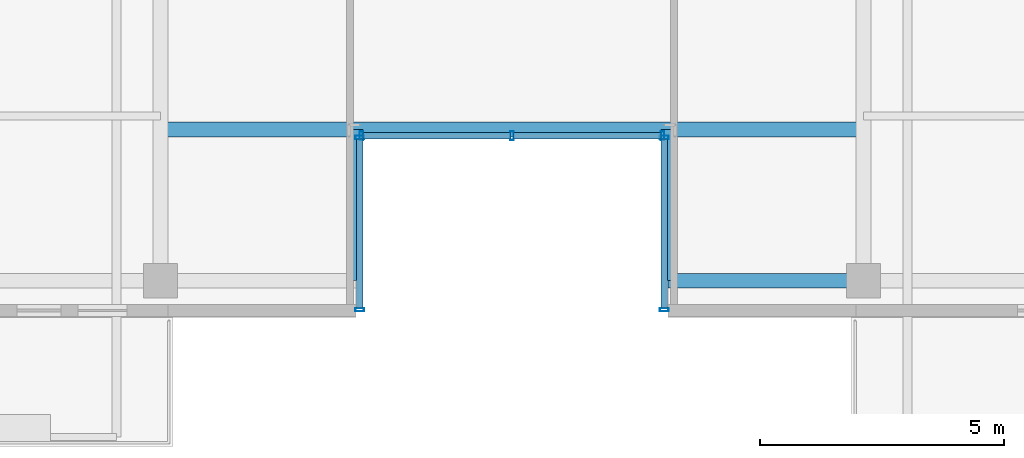
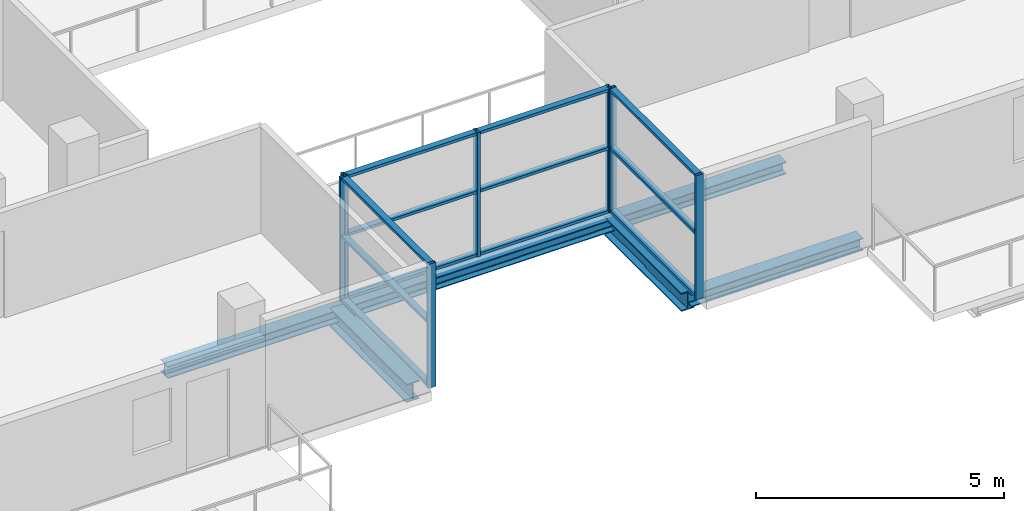
# One storey, part 3 of 21: 19 members, 4 beams, 3 elements without a shape of their own.
"""IFC4 building model written with IfcOpenShell, lengths in metres."""

from ifc_helpers import new_model, si_unit, direction, frame, origin, origin_2d, place, context, subcontext, project, spatial, hollow_rectangle, i_section, extrude, source, transform, mapped, material, layer, layer_set, material_profile, profile_set, type_object, element, aggregate, save


model = new_model("IFC4")

# Units and contexts
model_context = context("Model", 3, precision=1e-05, world=origin(), true_north=direction((0.0, 1.0)))
body_context = subcontext(model_context, "Body", "Model", "MODEL_VIEW")
ifc_project = project(units=[si_unit("LENGTHUNIT", "METRE"), si_unit("AREAUNIT", "SQUARE_METRE"), si_unit("VOLUMEUNIT", "CUBIC_METRE"), si_unit("PLANEANGLEUNIT", "RADIAN"), si_unit("MASSUNIT", "GRAM", prefix="KILO")], contexts=[model_context])

# Site, building, storey
site_placement = place(None, origin())
site = spatial("IfcSite", under=ifc_project, at=site_placement, CompositionType="ELEMENT")
building_placement = place(site_placement, origin())
building = spatial("IfcBuilding", under=site, at=building_placement, Name="Zarnakvel Exchange Tower", CompositionType="ELEMENT")
storey_placement = place(building_placement, frame((0.0, 0.0, 248.5)))
storey = spatial("IfcBuildingStorey", under=building, at=storey_placement, Name="L70", CompositionType="ELEMENT", Elevation=248.5)

# Beams
ifc_material_1 = material(Name="Steel S355", Category="steel")
ifc_material_profile_1 = material_profile(ifc_material_1, i_section(OverallWidth=0.300048828125, OverallDepth=0.449951171875, WebThickness=0.013916015625, FlangeThickness=0.02587890625, FilletRadius=0.027099609375, at=origin_2d()))
ifc_profile_set_1 = profile_set([ifc_material_profile_1], Name="Steel S355")
beam_type_1 = type_object("IfcBeamType", Name="G-07", PredefinedType="BEAM", material=ifc_profile_set_1)
for number, where, z_axis, x_axis, name in (
    (1, (-3.199951171875, -16.35009765625, -0.449951171875), (0.0, 1.0, 0.0), (-1.0, 0.0, 0.0), "L70 South Slot West Cheek Beam"),
    (2, (3.199951171875, -16.35009765625, -0.449951171875), (0.0, 1.0, 0.0), (-1.0, 0.0, 0.0), "L70 South Slot East Cheek Beam"),
):
    element("IfcBeam", number, at=place(storey_placement, frame(where, z_axis=z_axis, x_axis=x_axis)), inside=storey, type_object=beam_type_1, Name=name, PredefinedType="BEAM", context=body_context, shape_type="SweptSolid", body=[
        extrude(i_section(OverallWidth=0.300048828125, OverallDepth=0.449951171875, WebThickness=0.013916015625, FlangeThickness=0.02587890625, FilletRadius=0.027099609375, at=origin_2d()), origin(), (0.0, 0.0, 1.0), 3.10009765625),
    ])
ifc_material_profile_2 = material_profile(ifc_material_1, i_section(OverallWidth=0.300048828125, OverallDepth=0.300048828125, WebThickness=0.010986328125, FlangeThickness=0.01904296875, FilletRadius=0.027099609375, at=origin_2d()))
ifc_profile_set_2 = profile_set([ifc_material_profile_2], Name="Steel S355")
beam_type_2 = type_object("IfcBeamType", Name="SP-03", PredefinedType="SPANDREL", material=ifc_profile_set_2)
beam_1_placement = place(storey_placement, frame((3.199951171875, -16.35009765625, -0.375), z_axis=(1.0, 0.0, 0.0), x_axis=(0.0, 1.0, 0.0)))
element("IfcBeam", 3, at=beam_1_placement, inside=storey, type_object=beam_type_2, Name="L70 South Slot East Jamb Spandrel", PredefinedType="SPANDREL", context=body_context, shape_type="SweptSolid", body=[
    extrude(i_section(OverallWidth=0.300048828125, OverallDepth=0.300048828125, WebThickness=0.010986328125, FlangeThickness=0.01904296875, FilletRadius=0.027099609375, at=origin_2d()), origin(), (0.0, 0.0, 1.0), 4.0),
])
beam_2_placement = place(storey_placement, frame((-7.199951171875, -13.25, -0.375), z_axis=(1.0, 0.0, 0.0), x_axis=(0.0, 1.0, 0.0)))
element("IfcBeam", 4, at=beam_2_placement, inside=storey, type_object=beam_type_2, Name="L70 South Slot Head Trimmer Girder", PredefinedType="SPANDREL", context=body_context, shape_type="SweptSolid", body=[
    extrude(i_section(OverallWidth=0.300048828125, OverallDepth=0.300048828125, WebThickness=0.010986328125, FlangeThickness=0.01904296875, FilletRadius=0.027099609375, at=origin_2d()), origin(), (0.0, 0.0, 1.0), 14.39990234375),
])

# Curtain wall, members
ifc_material_2 = material(Name="Architectural Bronze Anodised Aluminium", Category="aluminium")
ifc_layer = layer(ifc_material_2, 0.179931640625)
ifc_layer_set = layer_set([ifc_layer], Name="Architectural Bronze Anodised Aluminium")
curtain_wall_type = type_object("IfcCurtainWallType", Name="CW-05", PredefinedType="NOTDEFINED", material=ifc_layer_set)
curtain_wall_1_placement = place(storey_placement, origin())
curtain_wall_1 = element("IfcCurtainWall", 5, at=curtain_wall_1_placement, inside=storey, type_object=curtain_wall_type, Name="L70 Curtain Wall CW-L70-SLW (CW-05)", PredefinedType="NOTDEFINED")
ifc_material_profile_3 = material_profile(ifc_material_2, hollow_rectangle(XDim=0.139892578125, YDim=0.070068359375, WallThickness=0.00390625, at=origin_2d()))
ifc_profile_set_3 = profile_set([ifc_material_profile_3], Name="Architectural Bronze Anodised Aluminium")
member_type_1 = type_object("IfcMemberType", Name="CWT-05", PredefinedType="USERDEFINED", material=ifc_profile_set_3)
shared_shape_1 = source(origin(), body_context, "Body", "SweptSolid", [
    extrude(hollow_rectangle(XDim=0.139892578125, YDim=0.070068359375, WallThickness=0.00390625, at=origin_2d()), origin(), (0.0, 0.0, 1.0), 3.4599609375),
])
member_1_placement = place(storey_placement, frame((-3.1201171875, -16.909912109375, 0.034912109375), z_axis=(0.0, 1.0, 0.0), x_axis=(-1.0, 0.0, 0.0)))
member_1 = element("IfcMember", 6, at=member_1_placement, type_object=member_type_1, Name="CW-05 transom 1.1", ObjectType="TRANSOM", PredefinedType="USERDEFINED", context=body_context, shape_type="MappedRepresentation", body=[
    mapped(shared_shape_1, transform((0.0, 0.0, 0.0), x_axis=(1.0, 0.0, 0.0), y_axis=(0.0, 1.0, 0.0), z_axis=(0.0, 0.0, 1.0), scale=1.0)),
])
member_2_placement = place(storey_placement, frame((-3.1201171875, -16.909912109375, 1.588623046875), z_axis=(0.0, 1.0, 0.0), x_axis=(-1.0, 0.0, 0.0)))
member_2 = element("IfcMember", 7, at=member_2_placement, type_object=member_type_1, Name="CW-05 transom 1.2", ObjectType="TRANSOM", PredefinedType="USERDEFINED", context=body_context, shape_type="MappedRepresentation", body=[
    mapped(shared_shape_1, transform((0.0, 0.0, 0.0), x_axis=(1.0, 0.0, 0.0), y_axis=(0.0, 1.0, 0.0), z_axis=(0.0, 0.0, 1.0), scale=1.0)),
])
member_3_placement = place(storey_placement, frame((-3.1201171875, -16.909912109375, 3.02001953125), z_axis=(0.0, 1.0, 0.0), x_axis=(-1.0, 0.0, 0.0)))
member_3 = element("IfcMember", 8, at=member_3_placement, type_object=member_type_1, Name="CW-05 transom 1.3", ObjectType="TRANSOM", PredefinedType="USERDEFINED", context=body_context, shape_type="MappedRepresentation", body=[
    mapped(shared_shape_1, transform((0.0, 0.0, 0.0), x_axis=(1.0, 0.0, 0.0), y_axis=(0.0, 1.0, 0.0), z_axis=(0.0, 0.0, 1.0), scale=1.0)),
])

curtain_wall_2_placement = place(storey_placement, origin())
curtain_wall_2 = element("IfcCurtainWall", 9, at=curtain_wall_2_placement, inside=storey, type_object=curtain_wall_type, Name="L70 Curtain Wall CW-L70-SLE (CW-05)", PredefinedType="NOTDEFINED")
member_4_placement = place(storey_placement, frame((3.1201171875, -13.449951171875, 0.034912109375), z_axis=(0.0, -1.0, 0.0), x_axis=(1.0, 0.0, 0.0)))
member_4 = element("IfcMember", 10, at=member_4_placement, type_object=member_type_1, Name="CW-05 transom 1.1", ObjectType="TRANSOM", PredefinedType="USERDEFINED", context=body_context, shape_type="MappedRepresentation", body=[
    mapped(shared_shape_1, transform((0.0, 0.0, 0.0), x_axis=(1.0, 0.0, 0.0), y_axis=(0.0, 1.0, 0.0), z_axis=(0.0, 0.0, 1.0), scale=1.0)),
])
member_5_placement = place(storey_placement, frame((3.1201171875, -13.449951171875, 1.588623046875), z_axis=(0.0, -1.0, 0.0), x_axis=(1.0, 0.0, 0.0)))
member_5 = element("IfcMember", 11, at=member_5_placement, type_object=member_type_1, Name="CW-05 transom 1.2", ObjectType="TRANSOM", PredefinedType="USERDEFINED", context=body_context, shape_type="MappedRepresentation", body=[
    mapped(shared_shape_1, transform((0.0, 0.0, 0.0), x_axis=(1.0, 0.0, 0.0), y_axis=(0.0, 1.0, 0.0), z_axis=(0.0, 0.0, 1.0), scale=1.0)),
])
member_6_placement = place(storey_placement, frame((3.1201171875, -13.449951171875, 3.02001953125), z_axis=(0.0, -1.0, 0.0), x_axis=(1.0, 0.0, 0.0)))
member_6 = element("IfcMember", 12, at=member_6_placement, type_object=member_type_1, Name="CW-05 transom 1.3", ObjectType="TRANSOM", PredefinedType="USERDEFINED", context=body_context, shape_type="MappedRepresentation", body=[
    mapped(shared_shape_1, transform((0.0, 0.0, 0.0), x_axis=(1.0, 0.0, 0.0), y_axis=(0.0, 1.0, 0.0), z_axis=(0.0, 0.0, 1.0), scale=1.0)),
])

curtain_wall_3_placement = place(storey_placement, origin())
curtain_wall_3 = element("IfcCurtainWall", 13, at=curtain_wall_3_placement, inside=storey, type_object=curtain_wall_type, Name="L70 Curtain Wall CW-L70-SLB (CW-05)", PredefinedType="NOTDEFINED")
shared_shape_2 = source(origin(), body_context, "Body", "SweptSolid", [
    extrude(hollow_rectangle(XDim=0.139892578125, YDim=0.070068359375, WallThickness=0.00390625, at=origin_2d()), origin(), (0.0, 0.0, 1.0), 3.01513671875),
])
member_7_placement = place(storey_placement, frame((-3.050048828125, -13.3798828125, 0.034912109375), z_axis=(1.0, 0.0, 0.0), x_axis=(0.0, 1.0, 0.0)))
member_7 = element("IfcMember", 14, at=member_7_placement, type_object=member_type_1, Name="CW-05 transom 1.1", ObjectType="TRANSOM", PredefinedType="USERDEFINED", context=body_context, shape_type="MappedRepresentation", body=[
    mapped(shared_shape_2, transform((0.0, 0.0, 0.0), x_axis=(1.0, 0.0, 0.0), y_axis=(0.0, 1.0, 0.0), z_axis=(0.0, 0.0, 1.0), scale=1.0)),
])
member_8_placement = place(storey_placement, frame((-3.050048828125, -13.3798828125, 1.588623046875), z_axis=(1.0, 0.0, 0.0), x_axis=(0.0, 1.0, 0.0)))
member_8 = element("IfcMember", 15, at=member_8_placement, type_object=member_type_1, Name="CW-05 transom 1.2", ObjectType="TRANSOM", PredefinedType="USERDEFINED", context=body_context, shape_type="MappedRepresentation", body=[
    mapped(shared_shape_2, transform((0.0, 0.0, 0.0), x_axis=(1.0, 0.0, 0.0), y_axis=(0.0, 1.0, 0.0), z_axis=(0.0, 0.0, 1.0), scale=1.0)),
])
member_9_placement = place(storey_placement, frame((-3.050048828125, -13.3798828125, 3.02001953125), z_axis=(1.0, 0.0, 0.0), x_axis=(0.0, 1.0, 0.0)))
member_9 = element("IfcMember", 16, at=member_9_placement, type_object=member_type_1, Name="CW-05 transom 1.3", ObjectType="TRANSOM", PredefinedType="USERDEFINED", context=body_context, shape_type="MappedRepresentation", body=[
    mapped(shared_shape_2, transform((0.0, 0.0, 0.0), x_axis=(1.0, 0.0, 0.0), y_axis=(0.0, 1.0, 0.0), z_axis=(0.0, 0.0, 1.0), scale=1.0)),
])
member_10_placement = place(storey_placement, frame((0.034912109375, -13.3798828125, 0.034912109375), z_axis=(1.0, 0.0, 0.0), x_axis=(0.0, 1.0, 0.0)))
member_10 = element("IfcMember", 17, at=member_10_placement, type_object=member_type_1, Name="CW-05 transom 2.1", ObjectType="TRANSOM", PredefinedType="USERDEFINED", context=body_context, shape_type="MappedRepresentation", body=[
    mapped(shared_shape_2, transform((0.0, 0.0, 0.0), x_axis=(1.0, 0.0, 0.0), y_axis=(0.0, 1.0, 0.0), z_axis=(0.0, 0.0, 1.0), scale=1.0)),
])
member_11_placement = place(storey_placement, frame((0.034912109375, -13.3798828125, 1.588623046875), z_axis=(1.0, 0.0, 0.0), x_axis=(0.0, 1.0, 0.0)))
member_11 = element("IfcMember", 18, at=member_11_placement, type_object=member_type_1, Name="CW-05 transom 2.2", ObjectType="TRANSOM", PredefinedType="USERDEFINED", context=body_context, shape_type="MappedRepresentation", body=[
    mapped(shared_shape_2, transform((0.0, 0.0, 0.0), x_axis=(1.0, 0.0, 0.0), y_axis=(0.0, 1.0, 0.0), z_axis=(0.0, 0.0, 1.0), scale=1.0)),
])
member_12_placement = place(storey_placement, frame((0.034912109375, -13.3798828125, 3.02001953125), z_axis=(1.0, 0.0, 0.0), x_axis=(0.0, 1.0, 0.0)))
member_12 = element("IfcMember", 19, at=member_12_placement, type_object=member_type_1, Name="CW-05 transom 2.3", ObjectType="TRANSOM", PredefinedType="USERDEFINED", context=body_context, shape_type="MappedRepresentation", body=[
    mapped(shared_shape_2, transform((0.0, 0.0, 0.0), x_axis=(1.0, 0.0, 0.0), y_axis=(0.0, 1.0, 0.0), z_axis=(0.0, 0.0, 1.0), scale=1.0)),
])

# Member
ifc_material_profile_4 = material_profile(ifc_material_2, hollow_rectangle(XDim=0.179931640625, YDim=0.070068359375, WallThickness=0.00390625, at=origin_2d()))
ifc_profile_set_4 = profile_set([ifc_material_profile_4], Name="Architectural Bronze Anodised Aluminium")
member_type_2 = type_object("IfcMemberType", Name="CWM-05", PredefinedType="MULLION", material=ifc_profile_set_4)
shared_shape_3 = source(origin(), body_context, "Body", "SweptSolid", [
    extrude(hollow_rectangle(XDim=0.179931640625, YDim=0.070068359375, WallThickness=0.00390625, at=origin_2d()), origin(), (0.0, 0.0, 1.0), 3.054931640625),
])
member_13_placement = place(storey_placement, frame((-3.1201171875, -16.945068359375, 0.0), z_axis=(0.0, 0.0, 1.0), x_axis=(-1.0, 0.0, 0.0)))
member_13 = element("IfcMember", 20, at=member_13_placement, type_object=member_type_2, Name="CW-05 mullion 1", PredefinedType="MULLION", context=body_context, shape_type="MappedRepresentation", body=[
    mapped(shared_shape_3, transform((0.0, 0.0, 0.0), x_axis=(1.0, 0.0, 0.0), y_axis=(0.0, 1.0, 0.0), z_axis=(0.0, 0.0, 1.0), scale=1.0)),
])

member_14_placement = place(storey_placement, frame((-3.1201171875, -13.4150390625, 0.0), z_axis=(0.0, 0.0, 1.0), x_axis=(-1.0, 0.0, 0.0)))
member_14 = element("IfcMember", 21, at=member_14_placement, type_object=member_type_2, Name="CW-05 mullion 2", PredefinedType="MULLION", context=body_context, shape_type="MappedRepresentation", body=[
    mapped(shared_shape_3, transform((0.0, 0.0, 0.0), x_axis=(1.0, 0.0, 0.0), y_axis=(0.0, 1.0, 0.0), z_axis=(0.0, 0.0, 1.0), scale=1.0)),
])

aggregate(curtain_wall_1, [member_13, member_14, member_1, member_2, member_3])

member_15_placement = place(storey_placement, frame((-3.0849609375, -13.3798828125, 0.0), z_axis=(0.0, 0.0, 1.0), x_axis=(0.0, 1.0, 0.0)))
member_15 = element("IfcMember", 22, at=member_15_placement, type_object=member_type_2, Name="CW-05 mullion 1", PredefinedType="MULLION", context=body_context, shape_type="MappedRepresentation", body=[
    mapped(shared_shape_3, transform((0.0, 0.0, 0.0), x_axis=(1.0, 0.0, 0.0), y_axis=(0.0, 1.0, 0.0), z_axis=(0.0, 0.0, 1.0), scale=1.0)),
])

member_16_placement = place(storey_placement, frame((0.0, -13.3798828125, 0.0), z_axis=(0.0, 0.0, 1.0), x_axis=(0.0, 1.0, 0.0)))
member_16 = element("IfcMember", 23, at=member_16_placement, type_object=member_type_2, Name="CW-05 mullion 2", PredefinedType="MULLION", context=body_context, shape_type="MappedRepresentation", body=[
    mapped(shared_shape_3, transform((0.0, 0.0, 0.0), x_axis=(1.0, 0.0, 0.0), y_axis=(0.0, 1.0, 0.0), z_axis=(0.0, 0.0, 1.0), scale=1.0)),
])

member_17_placement = place(storey_placement, frame((3.0849609375, -13.3798828125, 0.0), z_axis=(0.0, 0.0, 1.0), x_axis=(0.0, 1.0, 0.0)))
member_17 = element("IfcMember", 24, at=member_17_placement, type_object=member_type_2, Name="CW-05 mullion 3", PredefinedType="MULLION", context=body_context, shape_type="MappedRepresentation", body=[
    mapped(shared_shape_3, transform((0.0, 0.0, 0.0), x_axis=(1.0, 0.0, 0.0), y_axis=(0.0, 1.0, 0.0), z_axis=(0.0, 0.0, 1.0), scale=1.0)),
])

aggregate(curtain_wall_3, [member_15, member_16, member_17, member_7, member_8, member_9, member_10, member_11, member_12])

member_18_placement = place(storey_placement, frame((3.1201171875, -13.4150390625, 0.0), z_axis=(0.0, 0.0, 1.0), x_axis=(1.0, 0.0, 0.0)))
member_18 = element("IfcMember", 25, at=member_18_placement, type_object=member_type_2, Name="CW-05 mullion 1", PredefinedType="MULLION", context=body_context, shape_type="MappedRepresentation", body=[
    mapped(shared_shape_3, transform((0.0, 0.0, 0.0), x_axis=(1.0, 0.0, 0.0), y_axis=(0.0, 1.0, 0.0), z_axis=(0.0, 0.0, 1.0), scale=1.0)),
])

member_19_placement = place(storey_placement, frame((3.1201171875, -16.945068359375, 0.0), z_axis=(0.0, 0.0, 1.0), x_axis=(1.0, 0.0, 0.0)))
member_19 = element("IfcMember", 26, at=member_19_placement, type_object=member_type_2, Name="CW-05 mullion 2", PredefinedType="MULLION", context=body_context, shape_type="MappedRepresentation", body=[
    mapped(shared_shape_3, transform((0.0, 0.0, 0.0), x_axis=(1.0, 0.0, 0.0), y_axis=(0.0, 1.0, 0.0), z_axis=(0.0, 0.0, 1.0), scale=1.0)),
])

aggregate(curtain_wall_2, [member_18, member_19, member_4, member_5, member_6])

save(model, "model.ifc")
